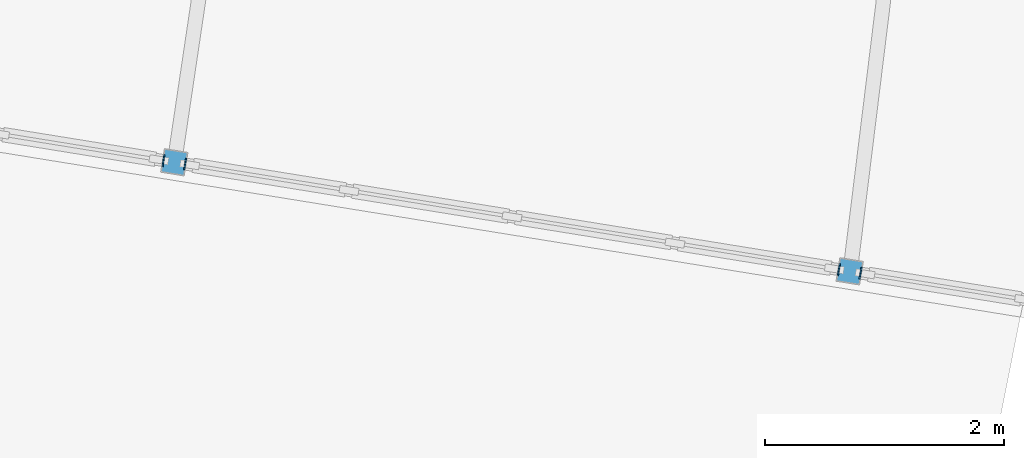
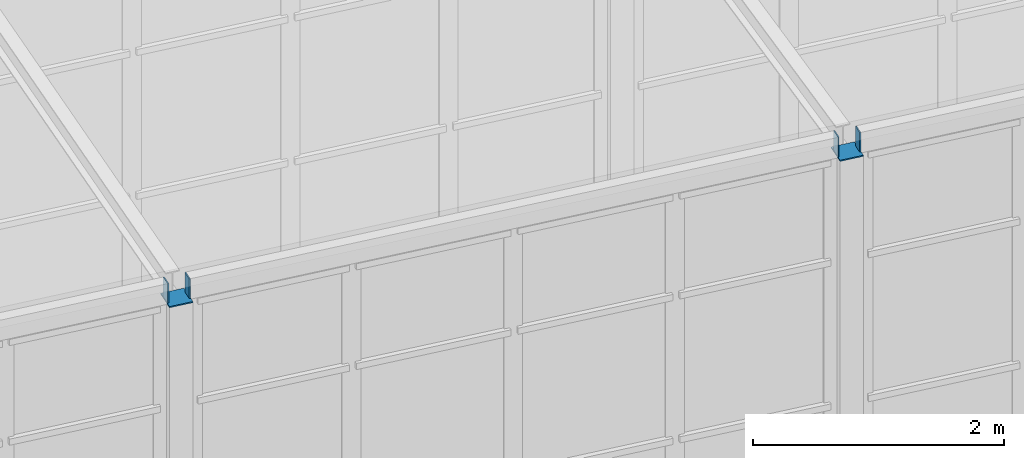
# One storey, part 201 of 226: 6 discrete accessories.
"""IFC4 building model written with IfcOpenShell, lengths in metres."""

from ifc_helpers import new_model, si_unit, direction, frame, origin, origin_2d, place, context, subcontext, project, spatial, rectangle, extrude, material, material_profile, profile_set, type_object, element, save


model = new_model("IFC4")

# Units and contexts
model_context = context("Model", 3, precision=1e-05, world=origin(), true_north=direction((0.0, 1.0)))
body_context = subcontext(model_context, "Body", "Model", "MODEL_VIEW")
ifc_project = project(units=[si_unit("LENGTHUNIT", "METRE"), si_unit("AREAUNIT", "SQUARE_METRE"), si_unit("VOLUMEUNIT", "CUBIC_METRE"), si_unit("PLANEANGLEUNIT", "RADIAN"), si_unit("MASSUNIT", "GRAM", prefix="KILO")], contexts=[model_context])

# Site, building, storey
site_placement = place(None, origin())
site = spatial("IfcSite", under=ifc_project, at=site_placement, CompositionType="ELEMENT")
building_placement = place(site_placement, origin())
building = spatial("IfcBuilding", under=site, at=building_placement, Name="Ceibo Conservatory and Research Tower", CompositionType="ELEMENT")
storey_placement = place(building_placement, origin())
storey = spatial("IfcBuildingStorey", under=building, at=storey_placement, Name="L00", CompositionType="ELEMENT", Elevation=0.0)

# Discrete accessories
ifc_material = material(Name="Steel S355J2", Category="steel")
ifc_material_profile_1 = material_profile(ifc_material, rectangle(XDim=0.10009765625, YDim=0.199951171875, at=origin_2d()), Name="End plate PL 200x100x8")
ifc_profile_set_1 = profile_set([ifc_material_profile_1], Name="Steel S355J2")
discrete_accessory_type_1 = type_object("IfcDiscreteAccessoryType", Name="End plate PL 200x100x8", PredefinedType="USERDEFINED", material=ifc_profile_set_1)
for number, where, z_axis, x_axis, name in (
    (1, (86.721923828125, 110.574951171875, 3.89990234375), (-0.985030467156, 0.172380331752, 0.0), (-0.172380331752, -0.985030467156, 0.0), "Gallery edge beam A-RT-EBN06 end plate"),
    (2, (86.540283203125, 110.604248046875, 3.89990234375), (-0.985030467156, 0.172380331752, 0.0), (-0.172380331752, -0.985030467156, 0.0), "Gallery edge beam A-RT-EBN07 end plate"),
    (3, (81.076904296875, 111.486328125, 3.89990234375), (-0.985030467156, 0.172380331752, 0.0), (-0.172380331752, -0.985030467156, 0.0), "Gallery edge beam A-RT-EBN07 end plate"),
):
    element("IfcDiscreteAccessory", number, at=place(storey_placement, frame(where, z_axis=z_axis, x_axis=x_axis)), inside=storey, type_object=discrete_accessory_type_1, Name=name, ObjectType="End plate", PredefinedType="USERDEFINED", context=body_context, shape_type="SweptSolid", body=[
        extrude(rectangle(XDim=0.10009765625, YDim=0.199951171875, at=origin_2d()), origin(), (0.0, 0.0, 1.0), 0.010009765625),
    ])
discrete_accessory_placement = place(storey_placement, frame((80.895263671875, 111.515869140625, 3.89990234375), z_axis=(-0.988936352868, 0.14834045293, 0.0), x_axis=(-0.14834045293, -0.988936352868, 0.0)))
element("IfcDiscreteAccessory", 4, at=discrete_accessory_placement, inside=storey, type_object=discrete_accessory_type_1, Name="Gallery edge beam A-RT-EBN08 end plate", ObjectType="End plate", PredefinedType="USERDEFINED", context=body_context, shape_type="SweptSolid", body=[
    extrude(rectangle(XDim=0.10009765625, YDim=0.199951171875, at=origin_2d()), origin(), (0.0, 0.0, 1.0), 0.009765625),
])
ifc_material_profile_2 = material_profile(ifc_material, rectangle(XDim=0.199951171875, YDim=0.199951171875, at=origin_2d()), Name="End plate PL 200x200x10")
ifc_profile_set_2 = profile_set([ifc_material_profile_2], Name="Steel S355J2")
discrete_accessory_type_2 = type_object("IfcDiscreteAccessoryType", Name="End plate PL 200x200x10", PredefinedType="USERDEFINED", material=ifc_profile_set_2)
for number, where, z_axis, x_axis, name in (
    (5, (86.626220703125, 110.590576171875, 3.798095703125), (0.0, 0.0, 1.0), (-0.987215515464, 0.159391110254, 0.0), "Gallery column A-RT-CN06 end plate"),
    (6, (80.981201171875, 111.501953125, 3.798095703125), (0.0, 0.0, 1.0), (-0.987215515464, 0.159391110254, 0.0), "Gallery column A-RT-CN07 end plate"),
):
    element("IfcDiscreteAccessory", number, at=place(storey_placement, frame(where, z_axis=z_axis, x_axis=x_axis)), inside=storey, type_object=discrete_accessory_type_2, Name=name, ObjectType="End plate", PredefinedType="USERDEFINED", context=body_context, shape_type="SweptSolid", body=[
        extrude(rectangle(XDim=0.199951171875, YDim=0.199951171875, at=origin_2d()), origin(), (0.0, 0.0, 1.0), 0.011962890625),
    ])

save(model, "model.ifc")
